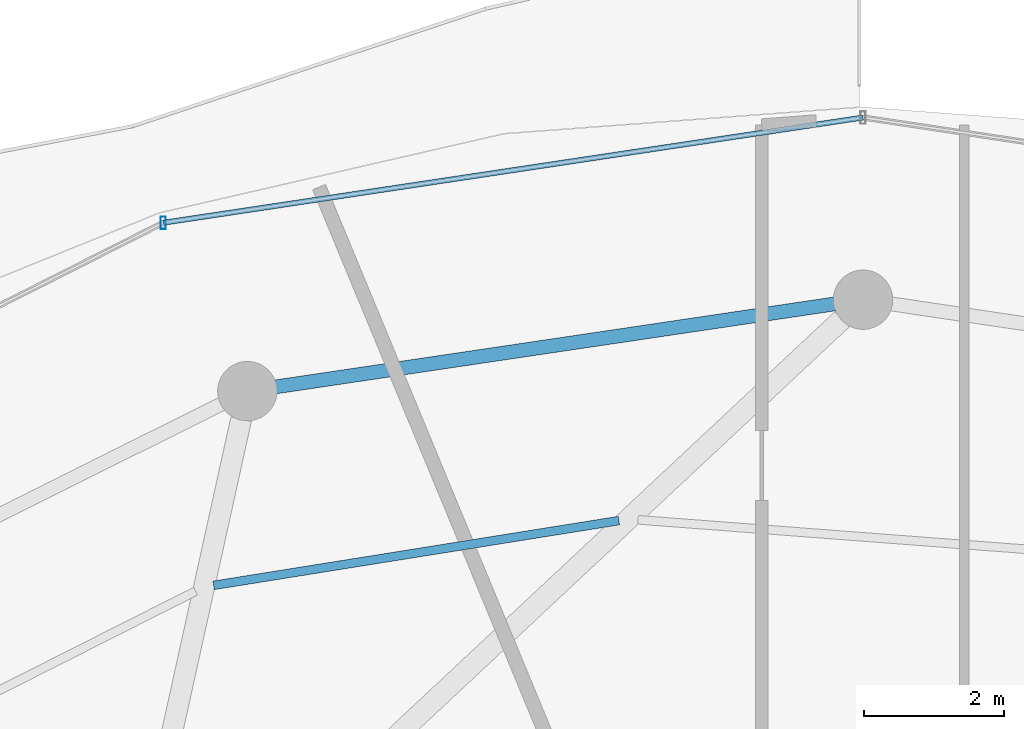
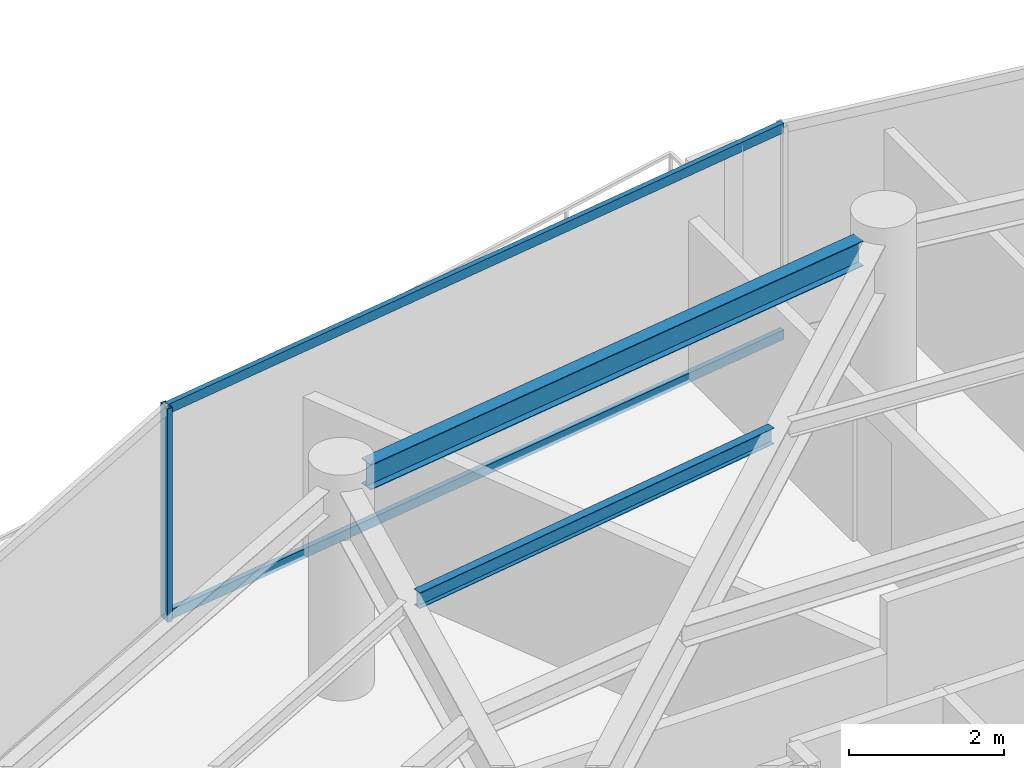
# One storey, part 16 of 29: 3 members, 2 beams, 1 element without a shape of its own.
"""IFC4 building model written with IfcOpenShell, lengths in metres."""

from ifc_helpers import new_model, si_unit, direction, frame, origin, origin_2d, place, context, subcontext, project, spatial, hollow_rectangle, i_section, extrude, material, material_profile, profile_set, type_object, element, aggregate, save


model = new_model("IFC4")

# Units and contexts
model_context = context("Model", 3, precision=1e-05, world=origin(), true_north=direction((0.0, 1.0)))
body_context = subcontext(model_context, "Body", "Model", "MODEL_VIEW")
ifc_project = project(units=[si_unit("LENGTHUNIT", "METRE"), si_unit("AREAUNIT", "SQUARE_METRE"), si_unit("VOLUMEUNIT", "CUBIC_METRE"), si_unit("PLANEANGLEUNIT", "RADIAN"), si_unit("MASSUNIT", "GRAM", prefix="KILO")], contexts=[model_context])

# Site, building, storey
site_placement = place(None, origin())
site = spatial("IfcSite", under=ifc_project, at=site_placement, CompositionType="ELEMENT")
building_placement = place(site_placement, origin())
building = spatial("IfcBuilding", under=site, at=building_placement, Name="Vorneva Point Tower", CompositionType="ELEMENT")
storey_placement = place(building_placement, frame((0.0, 0.0, 259.10009765625)))
storey = spatial("IfcBuildingStorey", under=building, at=storey_placement, Name="L70", CompositionType="ELEMENT", Elevation=259.10009765625)

# Beams
ifc_material_1 = material(Name="Steel S355", Category="steel")
ifc_material_profile_1 = material_profile(ifc_material_1, i_section(OverallWidth=0.1240234375, OverallDepth=0.248046875, WebThickness=0.0048828125, FlangeThickness=0.008056640625, at=origin_2d()), Name="25B1")
ifc_profile_set_1 = profile_set([ifc_material_profile_1], Name="Steel S355")
beam_type_1 = type_object("IfcBeamType", Name="BM-JST-25B1", PredefinedType="JOIST", material=ifc_profile_set_1)
beam_1_placement = place(storey_placement, frame((34.502197265625, 40.035400390625, 3.166015625), z_axis=(-0.987472742083, -0.157789681675, 0.0), x_axis=(0.157789681675, -0.987472742083, 0.0)))
element("IfcBeam", 1, at=beam_1_placement, inside=storey, type_object=beam_type_1, Name="L70 Secondary Floor Beam 1.05", PredefinedType="JOIST", context=body_context, shape_type="SweptSolid", body=[
    extrude(i_section(OverallWidth=0.1240234375, OverallDepth=0.248046875, WebThickness=0.0048828125, FlangeThickness=0.008056640625, at=origin_2d()), origin(), (0.0, 0.0, 1.0), 5.879638671875),
])
ifc_material_profile_2 = material_profile(ifc_material_1, i_section(OverallWidth=0.198974609375, OverallDepth=0.39599609375, WebThickness=0.007080078125, FlangeThickness=0.010986328125, at=origin_2d()), Name="40B1")
ifc_profile_set_2 = profile_set([ifc_material_profile_2], Name="Steel S355")
beam_type_2 = type_object("IfcBeamType", Name="BM-SPN-40B1", PredefinedType="SPANDREL", material=ifc_profile_set_2)
beam_2_placement = place(storey_placement, frame((37.594482421875, 43.139892578125, 3.091796875), z_axis=(-0.989161657331, -0.146830567886, 0.0), x_axis=(0.146830567886, -0.989161657331, 0.0)))
element("IfcBeam", 2, at=beam_2_placement, inside=storey, type_object=beam_type_2, Name="L70 Perimeter Spandrel Ring Beam 05", PredefinedType="SPANDREL", context=body_context, shape_type="SweptSolid", body=[
    extrude(i_section(OverallWidth=0.198974609375, OverallDepth=0.39599609375, WebThickness=0.007080078125, FlangeThickness=0.010986328125, at=origin_2d()), origin(), (0.0, 0.0, 1.0), 8.097412109375),
])

# Curtain wall, members
ifc_material_2 = material(Name="Pale anodised aluminium", Category="aluminium")
curtain_wall_type = type_object("IfcCurtainWallType", Name="CW-RES-SYS", PredefinedType="NOTDEFINED", material=ifc_material_2)
curtain_wall_placement = place(storey_placement, origin())
curtain_wall = element("IfcCurtainWall", 3, at=curtain_wall_placement, inside=storey, type_object=curtain_wall_type, Name="L70 Unitised Curtain Wall CW-L70-R02", PredefinedType="NOTDEFINED")
ifc_material_profile_3 = material_profile(ifc_material_2, hollow_rectangle(XDim=0.074951171875, YDim=0.179931640625, WallThickness=0.00390625, at=origin_2d()), Name="AL-MUL 180x75x4")
ifc_profile_set_3 = profile_set([ifc_material_profile_3], Name="Pale anodised aluminium")
member_type_1 = type_object("IfcMemberType", Name="CW-MUL-180", PredefinedType="MULLION", material=ifc_profile_set_3)
member_1_placement = place(storey_placement, frame((27.9736328125, 44.302001953125, -0.0400390625), z_axis=(0.0, 0.0, 1.0), x_axis=(1.0, 0.0, 0.0)))
member_1 = element("IfcMember", 4, at=member_1_placement, type_object=member_type_1, Name="CW-L70-R02 Mullion 04", PredefinedType="MULLION", context=body_context, shape_type="SweptSolid", body=[
    extrude(hollow_rectangle(XDim=0.074951171875, YDim=0.179931640625, WallThickness=0.00390625, at=origin_2d()), origin(), (0.0, 0.0, 1.0), 3.35986328125),
])
ifc_material_profile_4 = material_profile(ifc_material_2, hollow_rectangle(XDim=0.074951171875, YDim=0.14990234375, WallThickness=0.00390625, at=origin_2d()), Name="AL-TRN 150x75x4")
ifc_profile_set_4 = profile_set([ifc_material_profile_4], Name="Pale anodised aluminium")
member_type_2 = type_object("IfcMemberType", Name="CW-TRN-150", PredefinedType="USERDEFINED", material=ifc_profile_set_4)
member_2_placement = place(storey_placement, frame((38.0, 45.81005859375, 0.02001953125), z_axis=(-0.988876929856, -0.148736066907, 0.0), x_axis=(0.148736066907, -0.988876929856, 0.0)))
member_2 = element("IfcMember", 5, at=member_2_placement, type_object=member_type_2, Name="CW-L70-R02 Transom 03.1", ObjectType="TRANSOM", PredefinedType="USERDEFINED", context=body_context, shape_type="SweptSolid", body=[
    extrude(hollow_rectangle(XDim=0.074951171875, YDim=0.14990234375, WallThickness=0.00390625, at=origin_2d()), origin(), (0.0, 0.0, 1.0), 10.13916015625),
])
member_3_placement = place(storey_placement, frame((38.0, 45.81005859375, 3.27001953125), z_axis=(-0.988876929856, -0.148736066907, 0.0), x_axis=(0.148736066907, -0.988876929856, 0.0)))
member_3 = element("IfcMember", 6, at=member_3_placement, type_object=member_type_2, Name="CW-L70-R02 Transom 03.2", ObjectType="TRANSOM", PredefinedType="USERDEFINED", context=body_context, shape_type="SweptSolid", body=[
    extrude(hollow_rectangle(XDim=0.074951171875, YDim=0.14990234375, WallThickness=0.00390625, at=origin_2d()), origin(), (0.0, 0.0, 1.0), 10.13916015625),
])
aggregate(curtain_wall, [member_1, member_2, member_3])

save(model, "model.ifc")
